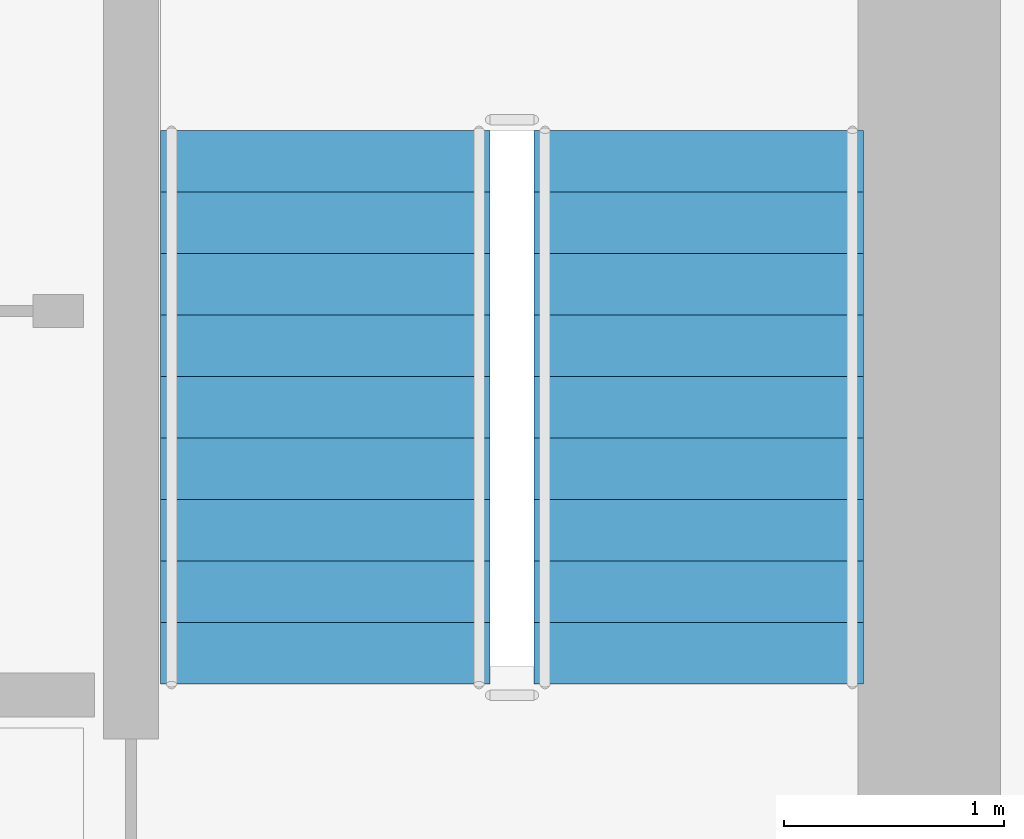
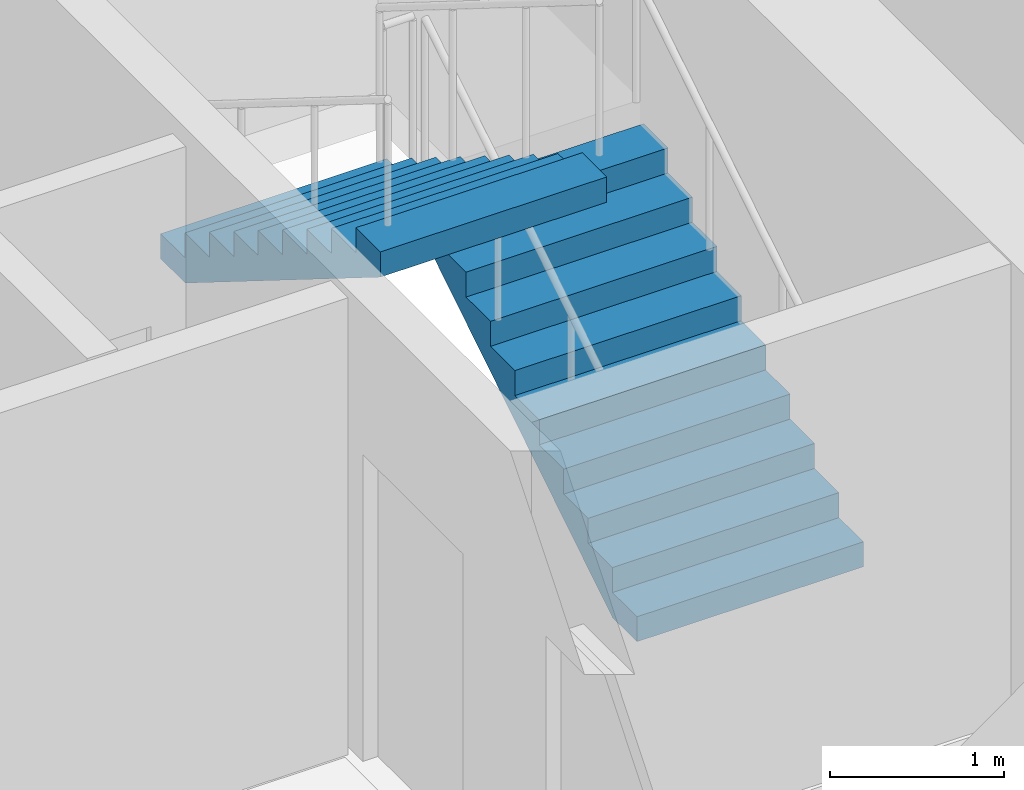
# One storey, part 7 of 11: 2 stair flights, 1 element without a shape of its own.
"""IFC4 building model written with IfcOpenShell, lengths in metres."""

from ifc_helpers import new_model, si_unit, direction, frame, origin, place, context, subcontext, project, spatial, polyline, outline, extrude, material, type_object, element, aggregate, save


model = new_model("IFC4")

# Units and contexts
model_context = context("Model", 3, precision=1e-05, world=origin(), true_north=direction((0.0, 1.0)))
body_context = subcontext(model_context, "Body", "Model", "MODEL_VIEW")
ifc_project = project(units=[si_unit("LENGTHUNIT", "METRE"), si_unit("AREAUNIT", "SQUARE_METRE"), si_unit("VOLUMEUNIT", "CUBIC_METRE"), si_unit("PLANEANGLEUNIT", "RADIAN"), si_unit("MASSUNIT", "GRAM", prefix="KILO")], contexts=[model_context])

# Site, building, storey
site_placement = place(None, origin())
site = spatial("IfcSite", under=ifc_project, at=site_placement, CompositionType="ELEMENT")
building_placement = place(site_placement, origin())
building = spatial("IfcBuilding", under=site, at=building_placement, Name="Kranthara Brick Stack", CompositionType="ELEMENT")
storey_placement = place(building_placement, frame((0.0, 0.0, 176.300048828125)))
storey = spatial("IfcBuildingStorey", under=building, at=storey_placement, Name="L45", CompositionType="ELEMENT", Elevation=176.300048828125)

# Stair, stair flights
ifc_material_1 = material(Name="Concrete C45/55", Category="concrete")
stair_type = type_object("IfcStairType", Name="ST-CORE-20R", PredefinedType="HALF_TURN_STAIR", material=ifc_material_1)
stair_placement = place(storey_placement, origin())
stair = element("IfcStair", 1, at=stair_placement, inside=storey, type_object=stair_type, Name="L45 East Core Protected Exit Stair ST02", PredefinedType="HALF_TURN_STAIR")
ifc_material_2 = material(Name="Concrete C45/55", Category="concrete")
stair_flight_type = type_object("IfcStairFlightType", Name="SFL-RC-20R", PredefinedType="STRAIGHT", material=ifc_material_2)
stair_flight_1_placement = place(storey_placement, frame((42.14990234375, 25.199951171875, 0.0), z_axis=(0.0, 0.0, 1.0), x_axis=(0.0, 1.0, 0.0)))
stair_flight_1 = element("IfcStairFlight", 2, at=stair_flight_1_placement, type_object=stair_flight_type, Name="ST02 flight 1", NumberOfRisers=10, NumberOfTreads=9, PredefinedType="STRAIGHT", RiserHeight=0.175, TreadLength=0.28, context=body_context, shape_type="SweptSolid", body=[
    extrude(outline(polyline([(0.0, 0.0), (0.0, 0.175048828125), (0.280029296875, 0.175048828125), (0.280029296875, 0.35009765625), (0.56005859375, 0.35009765625), (0.56005859375, 0.52490234375), (0.840087890625, 0.52490234375), (0.840087890625, 0.699951171875), (1.1201171875, 0.699951171875), (1.1201171875, 0.875), (1.39990234375, 0.875), (1.39990234375, 1.050048828125), (1.679931640625, 1.050048828125), (1.679931640625, 1.22509765625), (1.9599609375, 1.22509765625), (1.9599609375, 1.39990234375), (2.239990234375, 1.39990234375), (2.239990234375, 1.574951171875), (2.52001953125, 1.574951171875), (2.52001953125, 1.75), (2.52001953125, 1.398193359375), (0.28271484375, 0.0), (0.0, 0.0)])), frame((0.0, 0.75, 0.0), z_axis=(0.0, -1.0, 0.0), x_axis=(1.0, 0.0, 0.0)), (0.0, 0.0, 1.0), 1.5),
])
stair_flight_2_placement = place(storey_placement, frame((40.449951171875, 27.719970703125, 1.75), z_axis=(0.0, 0.0, 1.0), x_axis=(0.0, -1.0, 0.0)))
stair_flight_2 = element("IfcStairFlight", 3, at=stair_flight_2_placement, type_object=stair_flight_type, Name="ST02 flight 2", NumberOfRisers=10, NumberOfTreads=9, PredefinedType="STRAIGHT", RiserHeight=0.175, TreadLength=0.28, context=body_context, shape_type="SweptSolid", body=[
    extrude(outline(polyline([(0.0, 0.0), (0.0, 0.175048828125), (0.280029296875, 0.175048828125), (0.280029296875, 0.35009765625), (0.56005859375, 0.35009765625), (0.56005859375, 0.52490234375), (0.840087890625, 0.52490234375), (0.840087890625, 0.699951171875), (1.1201171875, 0.699951171875), (1.1201171875, 0.875), (1.39990234375, 0.875), (1.39990234375, 1.050048828125), (1.679931640625, 1.050048828125), (1.679931640625, 1.22509765625), (1.9599609375, 1.22509765625), (1.9599609375, 1.39990234375), (2.239990234375, 1.39990234375), (2.239990234375, 1.574951171875), (2.52001953125, 1.574951171875), (2.52001953125, 1.75), (2.52001953125, 1.398193359375), (0.28271484375, 0.0), (0.0, 0.0)])), frame((0.0, 0.75, 0.0), z_axis=(0.0, -1.0, 0.0), x_axis=(1.0, 0.0, 0.0)), (0.0, 0.0, 1.0), 1.5),
])
aggregate(stair, [stair_flight_1, stair_flight_2])

save(model, "model.ifc")
